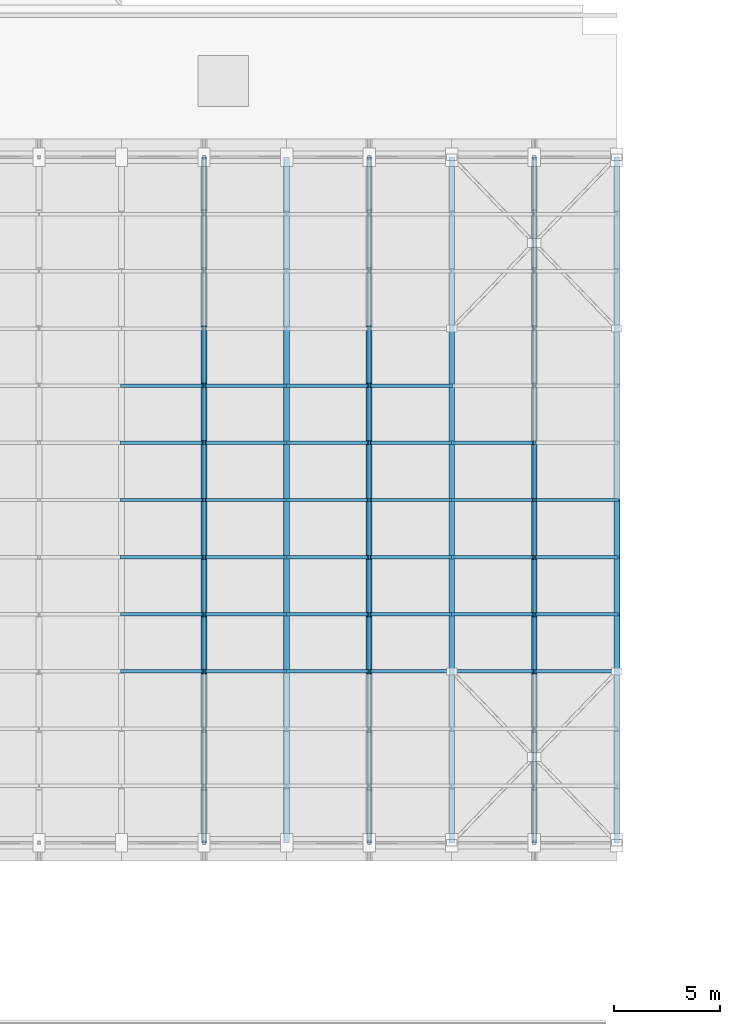
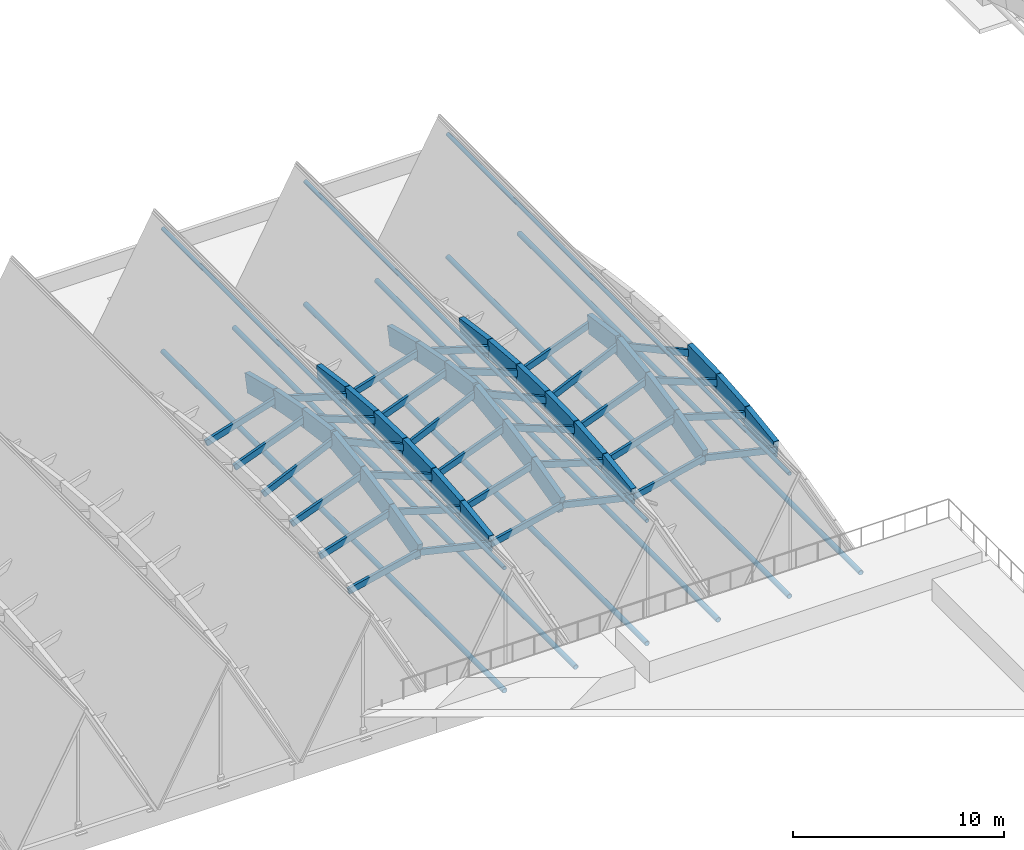
# One storey, part 10 of 39: 73 members.
"""IFC4 building model written with IfcOpenShell, lengths in metres."""

import ifcopenshell
import ifcopenshell.guid

model = None  # the IFC model being written
_history = None  # IfcOwnerHistory: only IFC2X3 demands one
_inside = {}  # id of a spatial element -> (the spatial element, [elements in it])
_under = {}  # id of a project, library or spatial element -> (it, [spatial elements below it])
_declared = {}  # id of a project -> (the project, [libraries it declares])
_typed = {}  # id of a type object -> (the type object, [elements of that type])
_made_of = {}  # id of a material, layer set ... -> (it, [elements and type objects made of it])


def new_model(schema):
    """Start an empty IFC model of exactly this schema.

    Asked for "IFC4X3", IfcOpenShell would pick the latest addendum, in which some entities
    have other attributes; the version numbers below select the first issue.
    IFC2X3 requires an IfcOwnerHistory on every rooted entity: one is made here for all.
    """
    global model, _history
    if schema == "IFC4X3":
        model = ifcopenshell.file(schema_version=(4, 3, 0, 0))
    else:
        model = ifcopenshell.file(schema=schema)
    _inside.clear()
    _under.clear()
    _declared.clear()
    _typed.clear()
    _made_of.clear()
    _history = None
    if model.schema == "IFC2X3":
        org = make("IfcOrganization", Name="unknown")
        user = make(
            "IfcPersonAndOrganization",
            ThePerson=make("IfcPerson", FamilyName="unknown"),
            TheOrganization=org,
        )
        app = make(
            "IfcApplication",
            ApplicationDeveloper=org,
            Version="unknown",
            ApplicationFullName="unknown",
            ApplicationIdentifier="unknown",
        )
        _history = make(
            "IfcOwnerHistory",
            OwningUser=user,
            OwningApplication=app,
            ChangeAction="ADDED",
            CreationDate=0,
        )
    return model


def make(cls, **values):
    """One entity of the class cls with the attributes given. An attribute that is None is left unset."""
    return model.create_entity(
        cls, **{name: value for name, value in values.items() if value is not None}
    )


def rooted(cls, **values):
    """An entity with a GlobalId (a new one), such as an element, a storey or a relation."""
    return make(cls, GlobalId=ifcopenshell.guid.new(), OwnerHistory=_history, **values)


def si_unit(unit_type, name, prefix=None):
    """IfcSIUnit, for example si_unit("LENGTHUNIT", "METRE", prefix="MILLI")."""
    return make("IfcSIUnit", UnitType=unit_type, Prefix=prefix, Name=name)


def assignment(units):
    """IfcUnitAssignment: the units of a project."""
    return None if units is None else make("IfcUnitAssignment", Units=units)


def point(xyz):
    """IfcCartesianPoint."""
    return None if xyz is None else make("IfcCartesianPoint", Coordinates=xyz)


def direction(xyz):
    """IfcDirection."""
    return None if xyz is None else make("IfcDirection", DirectionRatios=xyz)


def frame(location, z_axis=None, x_axis=None):
    """IfcAxis2Placement3D, a coordinate frame: its origin and axes. An axis left out is left unset."""
    return make(
        "IfcAxis2Placement3D",
        Location=point(location),
        Axis=direction(z_axis),
        RefDirection=direction(x_axis),
    )


def frame_2d(location, x_axis=None):
    """IfcAxis2Placement2D, a coordinate frame in the plane: its origin and x axis."""
    return make(
        "IfcAxis2Placement2D", Location=point(location), RefDirection=direction(x_axis)
    )


def origin():
    """The frame at (0, 0, 0) with its axes left unset."""
    return frame((0.0, 0.0, 0.0))


def origin_2d():
    """The frame at (0, 0) in the plane with its x axis left unset."""
    return frame_2d((0.0, 0.0))


def place(relative_to, where):
    """IfcLocalPlacement: puts the frame where relative to a parent placement (None: the world)."""
    return make(
        "IfcLocalPlacement", PlacementRelTo=relative_to, RelativePlacement=where
    )


def context(
    kind, dimensions, precision=None, world=None, true_north=None, identifier=None
):
    """IfcGeometricRepresentationContext, for example the 3D "Model" context."""
    return make(
        "IfcGeometricRepresentationContext",
        ContextIdentifier=identifier,
        ContextType=kind,
        CoordinateSpaceDimension=dimensions,
        Precision=precision,
        WorldCoordinateSystem=world,
        TrueNorth=true_north,
    )


def subcontext(parent, identifier, kind, view, scale=None):
    """IfcGeometricRepresentationSubContext, for example "Body" below "Model"."""
    return make(
        "IfcGeometricRepresentationSubContext",
        ContextIdentifier=identifier,
        ContextType=kind,
        ParentContext=parent,
        TargetScale=scale,
        TargetView=view,
    )


def project(units=None, contexts=None):
    """IfcProject with its units and contexts."""
    return rooted(
        "IfcProject",
        Name="project",
        RepresentationContexts=contexts,
        UnitsInContext=assignment(units),
    )


def spatial(cls, under=None, at=None, **own):
    """A site, building, storey or space (cls), placed at a placement, below another one or the project."""
    s = rooted(cls, ObjectPlacement=at, **own)
    if under is not None:
        _under.setdefault(under.id(), (under, []))[1].append(s)
    return s


def profile(cls, at=None, kind="AREA", **sizes):
    """A parametric profile (cls). Its sizes go by their IFC names, for example OverallWidth=200.0."""
    return make(cls, ProfileType=kind, Position=at, **sizes)


def rectangle(**sizes):
    """IfcRectangleProfileDef."""
    return profile("IfcRectangleProfileDef", **sizes)


def hollow_circle(**sizes):
    """IfcCircleHollowProfileDef."""
    return profile("IfcCircleHollowProfileDef", **sizes)


def extrude(swept, where, along, depth):
    """IfcExtrudedAreaSolid: the profile swept, set in the frame where, extruded along a direction by depth."""
    return make(
        "IfcExtrudedAreaSolid",
        SweptArea=swept,
        Position=where,
        ExtrudedDirection=direction(along),
        Depth=depth,
    )


def shape(context_of_items, identifier, shape_type, items):
    """IfcShapeRepresentation: the items that make up one representation, for example the "Body"."""
    return make(
        "IfcShapeRepresentation",
        ContextOfItems=context_of_items,
        RepresentationIdentifier=identifier,
        RepresentationType=shape_type,
        Items=items,
    )


def material(Name=None, Category=None):
    """IfcMaterial."""
    return make("IfcMaterial", Name=Name, Category=Category)


def material_profile(
    of_material, cross_section, Name=None, Category=None, Priority=None
):
    """IfcMaterialProfile: a cross section and its material."""
    return make(
        "IfcMaterialProfile",
        Name=Name,
        Material=of_material,
        Profile=cross_section,
        Priority=Priority,
        Category=Category,
    )


def profile_set(profiles, Name=None, composite=None):
    """IfcMaterialProfileSet."""
    return make(
        "IfcMaterialProfileSet",
        Name=Name,
        MaterialProfiles=profiles,
        CompositeProfile=composite,
    )


def made_of(thing, what):
    """Note that an element or type object is made of a material, layer set ...; save() writes the relation."""
    if what is not None:
        _made_of.setdefault(what.id(), (what, []))[1].append(thing)
    return thing


def type_object(cls, material=None, **own):
    """A type object (cls), such as IfcWallType, which elements share."""
    return made_of(rooted(cls, **own), material)


def element(
    cls,
    number,
    at=None,
    inside=None,
    cuts=None,
    type_object=None,
    material=None,
    context=None,
    identifier="Body",
    shape_type=None,
    held_by="IfcProductDefinitionShape",
    body=None,
    shapes=None,
    **own,
):
    """One element of the class cls, such as IfcWall. Its Tag is "e" and its number.

    at: its placement. inside: the storey or other place that contains it. cuts: it is an
    opening in that element (IfcRelVoidsElement). A single representation is given by context,
    identifier, shape_type and body (its items); several are given by shapes. held_by: the class
    of the entity that holds the representations. save() writes the other relations.
    """
    e = rooted(cls, Tag="e%d" % number, ObjectPlacement=at, **own)
    if body is not None:
        shapes = [shape(context, identifier, shape_type, body)]
    if shapes is not None:
        e.Representation = make(held_by, Representations=shapes)
    if inside is not None:
        _inside.setdefault(inside.id(), (inside, []))[1].append(e)
    if cuts is not None:
        rooted(
            "IfcRelVoidsElement", RelatingBuildingElement=cuts, RelatedOpeningElement=e
        )
    if type_object is not None:
        _typed.setdefault(type_object.id(), (type_object, []))[1].append(e)
    return made_of(e, material)


def aggregate(whole, parts):
    """IfcRelAggregates: a whole, such as a stair, and the parts it consists of."""
    return rooted("IfcRelAggregates", RelatingObject=whole, RelatedObjects=parts)


def save(model, path):
    """Write the relations noted so far, then the file.

    IfcRelAggregates (storeys below a building ...), IfcRelContainedInSpatialStructure (elements
    in a storey), IfcRelDefinesByType, IfcRelAssociatesMaterial and IfcRelDeclares: one each for
    every whole, place, type object, material and project.
    """
    for whole, parts in _under.values():
        aggregate(whole, parts)
    for where, things in _inside.values():
        rooted(
            "IfcRelContainedInSpatialStructure",
            RelatedElements=things,
            RelatingStructure=where,
        )
    for kind, things in _typed.values():
        rooted("IfcRelDefinesByType", RelatedObjects=things, RelatingType=kind)
    for what, things in _made_of.values():
        rooted("IfcRelAssociatesMaterial", RelatedObjects=things, RelatingMaterial=what)
    for by, libraries in _declared.values():
        rooted("IfcRelDeclares", RelatingContext=by, RelatedDefinitions=libraries)
    model.write(path)


model = new_model("IFC4")

# Units and contexts
model_context = context("Model", 3, precision=1e-05, world=origin(), true_north=direction((0.0, 1.0)))
body_context = subcontext(model_context, "Body", "Model", "MODEL_VIEW")
ifc_project = project(units=[si_unit("LENGTHUNIT", "METRE"), si_unit("AREAUNIT", "SQUARE_METRE"), si_unit("VOLUMEUNIT", "CUBIC_METRE"), si_unit("PLANEANGLEUNIT", "RADIAN"), si_unit("MASSUNIT", "GRAM", prefix="KILO")], contexts=[model_context])

# Site, building, storey
site_placement = place(None, origin())
site = spatial("IfcSite", under=ifc_project, at=site_placement, CompositionType="ELEMENT")
building_placement = place(site_placement, origin())
building = spatial("IfcBuilding", under=site, at=building_placement, Name="Tizgana Railside Sports Hall", CompositionType="ELEMENT")
storey_placement = place(building_placement, frame((0.0, 0.0, 23.699951171875)))
storey = spatial("IfcBuildingStorey", under=building, at=storey_placement, Name="RF", CompositionType="ELEMENT", Elevation=23.699951171875)

# Members
ifc_material_1 = material(Name="Glulam GL32h", Category="wood")
ifc_material_profile_1 = material_profile(ifc_material_1, rectangle(XDim=0.280029296875, YDim=1.050048828125, at=origin_2d()), Name="GL 280x1050")
ifc_profile_set_1 = profile_set([ifc_material_profile_1], Name="Glulam GL32h")
member_type_1 = type_object("IfcMemberType", Name="Glulam Arch Segment GL 280x1050", PredefinedType="USERDEFINED", material=ifc_profile_set_1)
member_1_placement = place(storey_placement, frame((35.10009765625, 48.89990234375, -5.221923828125), z_axis=(0.0, 0.969416374533, 0.24542186697), x_axis=(-1.0, 0.0, 0.0)))
element("IfcMember", 1, at=member_1_placement, inside=storey, type_object=member_type_1, Name="RF V1 Arch Chord MEM-0144", ObjectType="ARCH_SEGMENT", PredefinedType="USERDEFINED", context=body_context, shape_type="SweptSolid", body=[
    extrude(rectangle(XDim=0.280029296875, YDim=1.050048828125, at=origin_2d()), origin(), (0.0, 0.0, 1.0), 2.785400390625),
])
member_2_placement = place(storey_placement, frame((35.10009765625, 51.60009765625, -4.538330078125), z_axis=(0.0, 0.981354466381, 0.192206689048), x_axis=(-1.0, 0.0, 0.0)))
element("IfcMember", 2, at=member_2_placement, inside=storey, type_object=member_type_1, Name="RF V1 Arch Chord MEM-0145", ObjectType="ARCH_SEGMENT", PredefinedType="USERDEFINED", context=body_context, shape_type="SweptSolid", body=[
    extrude(rectangle(XDim=0.280029296875, YDim=1.050048828125, at=origin_2d()), origin(), (0.0, 0.0, 1.0), 2.751220703125),
])
for number, where, z_axis, x_axis, name in (
    (3, (35.10009765625, 54.300048828125, -4.009521484375), (0.0, 0.990443057088, 0.137922263126), (-1.0, 0.0, 0.0), "RF V1 Arch Chord MEM-0146"),
    (4, (35.10009765625, 57.0, -3.633544921875), (0.0, 0.990443057088, -0.137922263126), (-1.0, 0.0, 0.0), "RF V1 Arch Chord MEM-0147"),
):
    element("IfcMember", number, at=place(storey_placement, frame(where, z_axis=z_axis, x_axis=x_axis)), inside=storey, type_object=member_type_1, Name=name, ObjectType="ARCH_SEGMENT", PredefinedType="USERDEFINED", context=body_context, shape_type="SweptSolid", body=[
        extrude(rectangle(XDim=0.280029296875, YDim=1.050048828125, at=origin_2d()), origin(), (0.0, 0.0, 1.0), 2.72607421875),
    ])
member_3_placement = place(storey_placement, frame((35.10009765625, 59.699951171875, -4.009521484375), z_axis=(0.0, 0.981354466381, -0.192206689048), x_axis=(-1.0, 0.0, 0.0)))
element("IfcMember", 5, at=member_3_placement, inside=storey, type_object=member_type_1, Name="RF V1 Arch Chord MEM-0148", ObjectType="ARCH_SEGMENT", PredefinedType="USERDEFINED", context=body_context, shape_type="SweptSolid", body=[
    extrude(rectangle(XDim=0.280029296875, YDim=1.050048828125, at=origin_2d()), origin(), (0.0, 0.0, 1.0), 2.751220703125),
])
member_4_placement = place(storey_placement, frame((35.10009765625, 62.39990234375, -4.538330078125), z_axis=(0.0, 0.969416374533, -0.24542186697), x_axis=(-1.0, 0.0, 0.0)))
element("IfcMember", 6, at=member_4_placement, inside=storey, type_object=member_type_1, Name="RF V1 Arch Chord MEM-0149", ObjectType="ARCH_SEGMENT", PredefinedType="USERDEFINED", context=body_context, shape_type="SweptSolid", body=[
    extrude(rectangle(XDim=0.280029296875, YDim=1.050048828125, at=origin_2d()), origin(), (0.0, 0.0, 1.0), 2.785400390625),
])
member_5_placement = place(storey_placement, frame((39.0, 48.89990234375, -6.1220703125), z_axis=(0.0, 0.990049503072, 0.140719513456), x_axis=(-1.0, 0.0, 0.0)))
element("IfcMember", 7, at=member_5_placement, inside=storey, type_object=member_type_1, Name="RF V1 Arch Chord MEM-0157", ObjectType="ARCH_SEGMENT", PredefinedType="USERDEFINED", context=body_context, shape_type="SweptSolid", body=[
    extrude(rectangle(XDim=0.280029296875, YDim=1.050048828125, at=origin_2d()), origin(), (0.0, 0.0, 1.0), 2.727294921875),
])
member_6_placement = place(storey_placement, frame((39.0, 51.60009765625, -5.73828125), z_axis=(0.0, 0.996429846681, 0.084424881666), x_axis=(-1.0, 0.0, 0.0)))
element("IfcMember", 8, at=member_6_placement, inside=storey, type_object=member_type_1, Name="RF V1 Arch Chord MEM-0158", ObjectType="ARCH_SEGMENT", PredefinedType="USERDEFINED", context=body_context, shape_type="SweptSolid", body=[
    extrude(rectangle(XDim=0.280029296875, YDim=1.050048828125, at=origin_2d()), origin(), (0.0, 0.0, 1.0), 2.709716796875),
])
for number, where, z_axis, x_axis, name in (
    (9, (39.0, 54.300048828125, -5.509521484375), (0.0, 0.999604813986, 0.028110778294), (-1.0, 0.0, 0.0), "RF V1 Arch Chord MEM-0159"),
    (10, (39.0, 57.0, -5.43359375), (0.0, 0.999604813986, -0.028110778294), (-1.0, 0.0, 0.0), "RF V1 Arch Chord MEM-0160"),
):
    element("IfcMember", number, at=place(storey_placement, frame(where, z_axis=z_axis, x_axis=x_axis)), inside=storey, type_object=member_type_1, Name=name, ObjectType="ARCH_SEGMENT", PredefinedType="USERDEFINED", context=body_context, shape_type="SweptSolid", body=[
        extrude(rectangle(XDim=0.280029296875, YDim=1.050048828125, at=origin_2d()), origin(), (0.0, 0.0, 1.0), 2.700927734375),
    ])
member_7_placement = place(storey_placement, frame((39.0, 59.699951171875, -5.509521484375), z_axis=(0.0, 0.996429846681, -0.084424881666), x_axis=(-1.0, 0.0, 0.0)))
element("IfcMember", 11, at=member_7_placement, inside=storey, type_object=member_type_1, Name="RF V1 Arch Chord MEM-0161", ObjectType="ARCH_SEGMENT", PredefinedType="USERDEFINED", context=body_context, shape_type="SweptSolid", body=[
    extrude(rectangle(XDim=0.280029296875, YDim=1.050048828125, at=origin_2d()), origin(), (0.0, 0.0, 1.0), 2.709716796875),
])
member_8_placement = place(storey_placement, frame((39.0, 62.39990234375, -5.73828125), z_axis=(0.0, 0.990049503072, -0.140719513456), x_axis=(-1.0, 0.0, 0.0)))
element("IfcMember", 12, at=member_8_placement, inside=storey, type_object=member_type_1, Name="RF V1 Arch Chord MEM-0162", ObjectType="ARCH_SEGMENT", PredefinedType="USERDEFINED", context=body_context, shape_type="SweptSolid", body=[
    extrude(rectangle(XDim=0.280029296875, YDim=1.050048828125, at=origin_2d()), origin(), (0.0, 0.0, 1.0), 2.727294921875),
])
member_9_placement = place(storey_placement, frame((42.89990234375, 48.89990234375, -5.221923828125), z_axis=(0.0, 0.969416374533, 0.24542186697), x_axis=(-1.0, 0.0, 0.0)))
element("IfcMember", 13, at=member_9_placement, inside=storey, type_object=member_type_1, Name="RF V1 Arch Chord MEM-0170", ObjectType="ARCH_SEGMENT", PredefinedType="USERDEFINED", context=body_context, shape_type="SweptSolid", body=[
    extrude(rectangle(XDim=0.280029296875, YDim=1.050048828125, at=origin_2d()), origin(), (0.0, 0.0, 1.0), 2.785400390625),
])
member_10_placement = place(storey_placement, frame((42.89990234375, 51.60009765625, -4.538330078125), z_axis=(0.0, 0.981354466381, 0.192206689048), x_axis=(-1.0, 0.0, 0.0)))
element("IfcMember", 14, at=member_10_placement, inside=storey, type_object=member_type_1, Name="RF V1 Arch Chord MEM-0171", ObjectType="ARCH_SEGMENT", PredefinedType="USERDEFINED", context=body_context, shape_type="SweptSolid", body=[
    extrude(rectangle(XDim=0.280029296875, YDim=1.050048828125, at=origin_2d()), origin(), (0.0, 0.0, 1.0), 2.751220703125),
])
for number, where, z_axis, x_axis, name in (
    (15, (42.89990234375, 54.300048828125, -4.009521484375), (0.0, 0.990443057088, 0.137922263126), (-1.0, 0.0, 0.0), "RF V1 Arch Chord MEM-0172"),
    (16, (42.89990234375, 57.0, -3.633544921875), (0.0, 0.990443057088, -0.137922263126), (-1.0, 0.0, 0.0), "RF V1 Arch Chord MEM-0173"),
):
    element("IfcMember", number, at=place(storey_placement, frame(where, z_axis=z_axis, x_axis=x_axis)), inside=storey, type_object=member_type_1, Name=name, ObjectType="ARCH_SEGMENT", PredefinedType="USERDEFINED", context=body_context, shape_type="SweptSolid", body=[
        extrude(rectangle(XDim=0.280029296875, YDim=1.050048828125, at=origin_2d()), origin(), (0.0, 0.0, 1.0), 2.72607421875),
    ])
member_11_placement = place(storey_placement, frame((42.89990234375, 59.699951171875, -4.009521484375), z_axis=(0.0, 0.981354466381, -0.192206689048), x_axis=(-1.0, 0.0, 0.0)))
element("IfcMember", 17, at=member_11_placement, inside=storey, type_object=member_type_1, Name="RF V1 Arch Chord MEM-0174", ObjectType="ARCH_SEGMENT", PredefinedType="USERDEFINED", context=body_context, shape_type="SweptSolid", body=[
    extrude(rectangle(XDim=0.280029296875, YDim=1.050048828125, at=origin_2d()), origin(), (0.0, 0.0, 1.0), 2.751220703125),
])
member_12_placement = place(storey_placement, frame((42.89990234375, 62.39990234375, -4.538330078125), z_axis=(0.0, 0.969416374533, -0.24542186697), x_axis=(-1.0, 0.0, 0.0)))
element("IfcMember", 18, at=member_12_placement, inside=storey, type_object=member_type_1, Name="RF V1 Arch Chord MEM-0175", ObjectType="ARCH_SEGMENT", PredefinedType="USERDEFINED", context=body_context, shape_type="SweptSolid", body=[
    extrude(rectangle(XDim=0.280029296875, YDim=1.050048828125, at=origin_2d()), origin(), (0.0, 0.0, 1.0), 2.785400390625),
])
member_13_placement = place(storey_placement, frame((46.800048828125, 48.89990234375, -6.1220703125), z_axis=(0.0, 0.990049503072, 0.140719513456), x_axis=(-1.0, 0.0, 0.0)))
element("IfcMember", 19, at=member_13_placement, inside=storey, type_object=member_type_1, Name="RF V1 Arch Chord MEM-0183", ObjectType="ARCH_SEGMENT", PredefinedType="USERDEFINED", context=body_context, shape_type="SweptSolid", body=[
    extrude(rectangle(XDim=0.280029296875, YDim=1.050048828125, at=origin_2d()), origin(), (0.0, 0.0, 1.0), 2.727294921875),
])
member_14_placement = place(storey_placement, frame((46.800048828125, 51.60009765625, -5.73828125), z_axis=(0.0, 0.996429846681, 0.084424881666), x_axis=(-1.0, 0.0, 0.0)))
element("IfcMember", 20, at=member_14_placement, inside=storey, type_object=member_type_1, Name="RF V1 Arch Chord MEM-0184", ObjectType="ARCH_SEGMENT", PredefinedType="USERDEFINED", context=body_context, shape_type="SweptSolid", body=[
    extrude(rectangle(XDim=0.280029296875, YDim=1.050048828125, at=origin_2d()), origin(), (0.0, 0.0, 1.0), 2.709716796875),
])
for number, where, z_axis, x_axis, name in (
    (21, (46.800048828125, 54.300048828125, -5.509521484375), (0.0, 0.999604813986, 0.028110778294), (-1.0, 0.0, 0.0), "RF V1 Arch Chord MEM-0185"),
    (22, (46.800048828125, 57.0, -5.43359375), (0.0, 0.999604813986, -0.028110778294), (-1.0, 0.0, 0.0), "RF V1 Arch Chord MEM-0186"),
):
    element("IfcMember", number, at=place(storey_placement, frame(where, z_axis=z_axis, x_axis=x_axis)), inside=storey, type_object=member_type_1, Name=name, ObjectType="ARCH_SEGMENT", PredefinedType="USERDEFINED", context=body_context, shape_type="SweptSolid", body=[
        extrude(rectangle(XDim=0.280029296875, YDim=1.050048828125, at=origin_2d()), origin(), (0.0, 0.0, 1.0), 2.700927734375),
    ])
member_15_placement = place(storey_placement, frame((46.800048828125, 59.699951171875, -5.509521484375), z_axis=(0.0, 0.996429846681, -0.084424881666), x_axis=(-1.0, 0.0, 0.0)))
element("IfcMember", 23, at=member_15_placement, inside=storey, type_object=member_type_1, Name="RF V1 Arch Chord MEM-0187", ObjectType="ARCH_SEGMENT", PredefinedType="USERDEFINED", context=body_context, shape_type="SweptSolid", body=[
    extrude(rectangle(XDim=0.280029296875, YDim=1.050048828125, at=origin_2d()), origin(), (0.0, 0.0, 1.0), 2.709716796875),
])
member_16_placement = place(storey_placement, frame((46.800048828125, 62.39990234375, -5.73828125), z_axis=(0.0, 0.990049503072, -0.140719513456), x_axis=(-1.0, 0.0, 0.0)))
element("IfcMember", 24, at=member_16_placement, inside=storey, type_object=member_type_1, Name="RF V1 Arch Chord MEM-0188", ObjectType="ARCH_SEGMENT", PredefinedType="USERDEFINED", context=body_context, shape_type="SweptSolid", body=[
    extrude(rectangle(XDim=0.280029296875, YDim=1.050048828125, at=origin_2d()), origin(), (0.0, 0.0, 1.0), 2.727294921875),
])
member_17_placement = place(storey_placement, frame((50.699951171875, 48.89990234375, -5.221923828125), z_axis=(0.0, 0.969416374533, 0.24542186697), x_axis=(-1.0, 0.0, 0.0)))
element("IfcMember", 25, at=member_17_placement, inside=storey, type_object=member_type_1, Name="RF V1 Arch Chord MEM-0196", ObjectType="ARCH_SEGMENT", PredefinedType="USERDEFINED", context=body_context, shape_type="SweptSolid", body=[
    extrude(rectangle(XDim=0.280029296875, YDim=1.050048828125, at=origin_2d()), origin(), (0.0, 0.0, 1.0), 2.785400390625),
])
member_18_placement = place(storey_placement, frame((50.699951171875, 51.60009765625, -4.538330078125), z_axis=(0.0, 0.981354466381, 0.192206689048), x_axis=(-1.0, 0.0, 0.0)))
element("IfcMember", 26, at=member_18_placement, inside=storey, type_object=member_type_1, Name="RF V1 Arch Chord MEM-0197", ObjectType="ARCH_SEGMENT", PredefinedType="USERDEFINED", context=body_context, shape_type="SweptSolid", body=[
    extrude(rectangle(XDim=0.280029296875, YDim=1.050048828125, at=origin_2d()), origin(), (0.0, 0.0, 1.0), 2.751220703125),
])
for number, where, z_axis, x_axis, name in (
    (27, (50.699951171875, 54.300048828125, -4.009521484375), (0.0, 0.990443057088, 0.137922263126), (-1.0, 0.0, 0.0), "RF V1 Arch Chord MEM-0198"),
    (28, (50.699951171875, 57.0, -3.633544921875), (0.0, 0.990443057088, -0.137922263126), (-1.0, 0.0, 0.0), "RF V1 Arch Chord MEM-0199"),
):
    element("IfcMember", number, at=place(storey_placement, frame(where, z_axis=z_axis, x_axis=x_axis)), inside=storey, type_object=member_type_1, Name=name, ObjectType="ARCH_SEGMENT", PredefinedType="USERDEFINED", context=body_context, shape_type="SweptSolid", body=[
        extrude(rectangle(XDim=0.280029296875, YDim=1.050048828125, at=origin_2d()), origin(), (0.0, 0.0, 1.0), 2.72607421875),
    ])
member_19_placement = place(storey_placement, frame((54.60009765625, 48.89990234375, -6.1220703125), z_axis=(0.0, 0.990049503072, 0.140719513456), x_axis=(-1.0, 0.0, 0.0)))
element("IfcMember", 29, at=member_19_placement, inside=storey, type_object=member_type_1, Name="RF V1 Arch Chord MEM-0209", ObjectType="ARCH_SEGMENT", PredefinedType="USERDEFINED", context=body_context, shape_type="SweptSolid", body=[
    extrude(rectangle(XDim=0.280029296875, YDim=1.050048828125, at=origin_2d()), origin(), (0.0, 0.0, 1.0), 2.727294921875),
])
member_20_placement = place(storey_placement, frame((54.60009765625, 51.60009765625, -5.73828125), z_axis=(0.0, 0.996429846681, 0.084424881666), x_axis=(-1.0, 0.0, 0.0)))
element("IfcMember", 30, at=member_20_placement, inside=storey, type_object=member_type_1, Name="RF V1 Arch Chord MEM-0210", ObjectType="ARCH_SEGMENT", PredefinedType="USERDEFINED", context=body_context, shape_type="SweptSolid", body=[
    extrude(rectangle(XDim=0.280029296875, YDim=1.050048828125, at=origin_2d()), origin(), (0.0, 0.0, 1.0), 2.709716796875),
])
member_21_placement = place(storey_placement, frame((54.60009765625, 54.300048828125, -5.509521484375), z_axis=(0.0, 0.999604813986, 0.028110778294), x_axis=(-1.0, 0.0, 0.0)))
element("IfcMember", 31, at=member_21_placement, inside=storey, type_object=member_type_1, Name="RF V1 Arch Chord MEM-0211", ObjectType="ARCH_SEGMENT", PredefinedType="USERDEFINED", context=body_context, shape_type="SweptSolid", body=[
    extrude(rectangle(XDim=0.280029296875, YDim=1.050048828125, at=origin_2d()), origin(), (0.0, 0.0, 1.0), 2.700927734375),
])
ifc_material_2 = material(Name="Glulam GL28h", Category="wood")
ifc_material_profile_2 = material_profile(ifc_material_2, rectangle(XDim=0.159912109375, YDim=0.360107421875, at=origin_2d()), Name="GL 160x360")
ifc_profile_set_2 = profile_set([ifc_material_profile_2], Name="Glulam GL28h")
member_type_2 = type_object("IfcMemberType", Name="Glulam Roof Purlin GL 160x360", PredefinedType="PURLIN", material=ifc_profile_set_2)
member_22_placement = place(storey_placement, frame((31.199951171875, 48.89990234375, -6.1220703125), z_axis=(0.974385027358, 0.0, 0.224886234483), x_axis=(0.0, 1.0, 0.0)))
element("IfcMember", 32, at=member_22_placement, inside=storey, type_object=member_type_2, Name="RF V1 Purlin MEM-0331", PredefinedType="PURLIN", context=body_context, shape_type="SweptSolid", body=[
    extrude(rectangle(XDim=0.159912109375, YDim=0.360107421875, at=origin_2d()), origin(), (0.0, 0.0, 1.0), 4.002685546875),
])
member_23_placement = place(storey_placement, frame((35.10009765625, 48.89990234375, -5.221923828125), z_axis=(0.974381942365, 0.0, -0.224899600695), x_axis=(0.0, 1.0, 0.0)))
element("IfcMember", 33, at=member_23_placement, inside=storey, type_object=member_type_2, Name="RF V1 Purlin MEM-0332", PredefinedType="PURLIN", context=body_context, shape_type="SweptSolid", body=[
    extrude(rectangle(XDim=0.159912109375, YDim=0.360107421875, at=origin_2d()), origin(), (0.0, 0.0, 1.0), 4.00244140625),
])
member_24_placement = place(storey_placement, frame((31.199951171875, 51.60009765625, -5.73828125), z_axis=(0.955785476607, 0.0, 0.294064827388), x_axis=(0.0, 1.0, 0.0)))
element("IfcMember", 34, at=member_24_placement, inside=storey, type_object=member_type_2, Name="RF V1 Purlin MEM-0333", PredefinedType="PURLIN", context=body_context, shape_type="SweptSolid", body=[
    extrude(rectangle(XDim=0.159912109375, YDim=0.360107421875, at=origin_2d()), origin(), (0.0, 0.0, 1.0), 4.08056640625),
])
member_25_placement = place(storey_placement, frame((35.10009765625, 51.60009765625, -4.538330078125), z_axis=(0.95578030241, 0.0, -0.294081644319), x_axis=(0.0, 1.0, 0.0)))
element("IfcMember", 35, at=member_25_placement, inside=storey, type_object=member_type_2, Name="RF V1 Purlin MEM-0334", PredefinedType="PURLIN", context=body_context, shape_type="SweptSolid", body=[
    extrude(rectangle(XDim=0.159912109375, YDim=0.360107421875, at=origin_2d()), origin(), (0.0, 0.0, 1.0), 4.080322265625),
])
member_26_placement = place(storey_placement, frame((31.199951171875, 54.300048828125, -5.509521484375), z_axis=(0.933350123578, 0.0, 0.358967333913), x_axis=(0.0, 1.0, 0.0)))
element("IfcMember", 36, at=member_26_placement, inside=storey, type_object=member_type_2, Name="RF V1 Purlin MEM-0335", PredefinedType="PURLIN", context=body_context, shape_type="SweptSolid", body=[
    extrude(rectangle(XDim=0.159912109375, YDim=0.360107421875, at=origin_2d()), origin(), (0.0, 0.0, 1.0), 4.1787109375),
])
member_27_placement = place(storey_placement, frame((35.10009765625, 54.300048828125, -4.009521484375), z_axis=(0.933342594373, 0.0, -0.358986909968), x_axis=(0.0, 1.0, 0.0)))
element("IfcMember", 37, at=member_27_placement, inside=storey, type_object=member_type_2, Name="RF V1 Purlin MEM-0336", PredefinedType="PURLIN", context=body_context, shape_type="SweptSolid", body=[
    extrude(rectangle(XDim=0.159912109375, YDim=0.360107421875, at=origin_2d()), origin(), (0.0, 0.0, 1.0), 4.178466796875),
])
member_28_placement = place(storey_placement, frame((31.199951171875, 57.0, -5.43359375), z_axis=(0.907961047997, 0.0, 0.419054573201), x_axis=(0.0, 1.0, 0.0)))
element("IfcMember", 38, at=member_28_placement, inside=storey, type_object=member_type_2, Name="RF V1 Purlin MEM-0337", PredefinedType="PURLIN", context=body_context, shape_type="SweptSolid", body=[
    extrude(rectangle(XDim=0.159912109375, YDim=0.360107421875, at=origin_2d()), origin(), (0.0, 0.0, 1.0), 4.29541015625),
])
member_29_placement = place(storey_placement, frame((35.10009765625, 57.0, -3.633544921875), z_axis=(0.907951066374, 0.0, -0.419076199598), x_axis=(0.0, 1.0, 0.0)))
element("IfcMember", 39, at=member_29_placement, inside=storey, type_object=member_type_2, Name="RF V1 Purlin MEM-0338", PredefinedType="PURLIN", context=body_context, shape_type="SweptSolid", body=[
    extrude(rectangle(XDim=0.159912109375, YDim=0.360107421875, at=origin_2d()), origin(), (0.0, 0.0, 1.0), 4.295166015625),
])
member_30_placement = place(storey_placement, frame((31.199951171875, 59.699951171875, -5.509521484375), z_axis=(0.933350123578, 0.0, 0.358967333913), x_axis=(0.0, 1.0, 0.0)))
element("IfcMember", 40, at=member_30_placement, inside=storey, type_object=member_type_2, Name="RF V1 Purlin MEM-0339", PredefinedType="PURLIN", context=body_context, shape_type="SweptSolid", body=[
    extrude(rectangle(XDim=0.159912109375, YDim=0.360107421875, at=origin_2d()), origin(), (0.0, 0.0, 1.0), 4.1787109375),
])
member_31_placement = place(storey_placement, frame((35.10009765625, 59.699951171875, -4.009521484375), z_axis=(0.933342594373, 0.0, -0.358986909968), x_axis=(0.0, 1.0, 0.0)))
element("IfcMember", 41, at=member_31_placement, inside=storey, type_object=member_type_2, Name="RF V1 Purlin MEM-0340", PredefinedType="PURLIN", context=body_context, shape_type="SweptSolid", body=[
    extrude(rectangle(XDim=0.159912109375, YDim=0.360107421875, at=origin_2d()), origin(), (0.0, 0.0, 1.0), 4.178466796875),
])
member_32_placement = place(storey_placement, frame((31.199951171875, 62.39990234375, -5.73828125), z_axis=(0.955785476607, 0.0, 0.294064827388), x_axis=(0.0, 1.0, 0.0)))
element("IfcMember", 42, at=member_32_placement, inside=storey, type_object=member_type_2, Name="RF V1 Purlin MEM-0341", PredefinedType="PURLIN", context=body_context, shape_type="SweptSolid", body=[
    extrude(rectangle(XDim=0.159912109375, YDim=0.360107421875, at=origin_2d()), origin(), (0.0, 0.0, 1.0), 4.08056640625),
])
member_33_placement = place(storey_placement, frame((35.10009765625, 62.39990234375, -4.538330078125), z_axis=(0.95578030241, 0.0, -0.294081644319), x_axis=(0.0, 1.0, 0.0)))
element("IfcMember", 43, at=member_33_placement, inside=storey, type_object=member_type_2, Name="RF V1 Purlin MEM-0342", PredefinedType="PURLIN", context=body_context, shape_type="SweptSolid", body=[
    extrude(rectangle(XDim=0.159912109375, YDim=0.360107421875, at=origin_2d()), origin(), (0.0, 0.0, 1.0), 4.080322265625),
])
member_34_placement = place(storey_placement, frame((39.0, 48.89990234375, -6.1220703125), z_axis=(0.974381942365, 0.0, 0.224899600695), x_axis=(0.0, 1.0, 0.0)))
element("IfcMember", 44, at=member_34_placement, inside=storey, type_object=member_type_2, Name="RF V1 Purlin MEM-0356", PredefinedType="PURLIN", context=body_context, shape_type="SweptSolid", body=[
    extrude(rectangle(XDim=0.159912109375, YDim=0.360107421875, at=origin_2d()), origin(), (0.0, 0.0, 1.0), 4.00244140625),
])
member_35_placement = place(storey_placement, frame((42.89990234375, 48.89990234375, -5.221923828125), z_axis=(0.974385027358, 0.0, -0.224886234483), x_axis=(0.0, 1.0, 0.0)))
element("IfcMember", 45, at=member_35_placement, inside=storey, type_object=member_type_2, Name="RF V1 Purlin MEM-0357", PredefinedType="PURLIN", context=body_context, shape_type="SweptSolid", body=[
    extrude(rectangle(XDim=0.159912109375, YDim=0.360107421875, at=origin_2d()), origin(), (0.0, 0.0, 1.0), 4.002685546875),
])
member_36_placement = place(storey_placement, frame((39.0, 51.60009765625, -5.73828125), z_axis=(0.95578030241, 0.0, 0.294081644319), x_axis=(0.0, 1.0, 0.0)))
element("IfcMember", 46, at=member_36_placement, inside=storey, type_object=member_type_2, Name="RF V1 Purlin MEM-0358", PredefinedType="PURLIN", context=body_context, shape_type="SweptSolid", body=[
    extrude(rectangle(XDim=0.159912109375, YDim=0.360107421875, at=origin_2d()), origin(), (0.0, 0.0, 1.0), 4.080322265625),
])
member_37_placement = place(storey_placement, frame((42.89990234375, 51.60009765625, -4.538330078125), z_axis=(0.955785476607, 0.0, -0.294064827388), x_axis=(0.0, 1.0, 0.0)))
element("IfcMember", 47, at=member_37_placement, inside=storey, type_object=member_type_2, Name="RF V1 Purlin MEM-0359", PredefinedType="PURLIN", context=body_context, shape_type="SweptSolid", body=[
    extrude(rectangle(XDim=0.159912109375, YDim=0.360107421875, at=origin_2d()), origin(), (0.0, 0.0, 1.0), 4.08056640625),
])
member_38_placement = place(storey_placement, frame((39.0, 54.300048828125, -5.509521484375), z_axis=(0.933342594373, 0.0, 0.358986909968), x_axis=(0.0, 1.0, 0.0)))
element("IfcMember", 48, at=member_38_placement, inside=storey, type_object=member_type_2, Name="RF V1 Purlin MEM-0360", PredefinedType="PURLIN", context=body_context, shape_type="SweptSolid", body=[
    extrude(rectangle(XDim=0.159912109375, YDim=0.360107421875, at=origin_2d()), origin(), (0.0, 0.0, 1.0), 4.178466796875),
])
member_39_placement = place(storey_placement, frame((42.89990234375, 54.300048828125, -4.009521484375), z_axis=(0.933350123578, 0.0, -0.358967333913), x_axis=(0.0, 1.0, 0.0)))
element("IfcMember", 49, at=member_39_placement, inside=storey, type_object=member_type_2, Name="RF V1 Purlin MEM-0361", PredefinedType="PURLIN", context=body_context, shape_type="SweptSolid", body=[
    extrude(rectangle(XDim=0.159912109375, YDim=0.360107421875, at=origin_2d()), origin(), (0.0, 0.0, 1.0), 4.1787109375),
])
member_40_placement = place(storey_placement, frame((39.0, 57.0, -5.43359375), z_axis=(0.907951066374, 0.0, 0.419076199598), x_axis=(0.0, 1.0, 0.0)))
element("IfcMember", 50, at=member_40_placement, inside=storey, type_object=member_type_2, Name="RF V1 Purlin MEM-0362", PredefinedType="PURLIN", context=body_context, shape_type="SweptSolid", body=[
    extrude(rectangle(XDim=0.159912109375, YDim=0.360107421875, at=origin_2d()), origin(), (0.0, 0.0, 1.0), 4.295166015625),
])
member_41_placement = place(storey_placement, frame((42.89990234375, 57.0, -3.633544921875), z_axis=(0.907961047997, 0.0, -0.419054573201), x_axis=(0.0, 1.0, 0.0)))
element("IfcMember", 51, at=member_41_placement, inside=storey, type_object=member_type_2, Name="RF V1 Purlin MEM-0363", PredefinedType="PURLIN", context=body_context, shape_type="SweptSolid", body=[
    extrude(rectangle(XDim=0.159912109375, YDim=0.360107421875, at=origin_2d()), origin(), (0.0, 0.0, 1.0), 4.29541015625),
])
member_42_placement = place(storey_placement, frame((39.0, 59.699951171875, -5.509521484375), z_axis=(0.933342594373, 0.0, 0.358986909968), x_axis=(0.0, 1.0, 0.0)))
element("IfcMember", 52, at=member_42_placement, inside=storey, type_object=member_type_2, Name="RF V1 Purlin MEM-0364", PredefinedType="PURLIN", context=body_context, shape_type="SweptSolid", body=[
    extrude(rectangle(XDim=0.159912109375, YDim=0.360107421875, at=origin_2d()), origin(), (0.0, 0.0, 1.0), 4.178466796875),
])
member_43_placement = place(storey_placement, frame((42.89990234375, 59.699951171875, -4.009521484375), z_axis=(0.933350123578, 0.0, -0.358967333913), x_axis=(0.0, 1.0, 0.0)))
element("IfcMember", 53, at=member_43_placement, inside=storey, type_object=member_type_2, Name="RF V1 Purlin MEM-0365", PredefinedType="PURLIN", context=body_context, shape_type="SweptSolid", body=[
    extrude(rectangle(XDim=0.159912109375, YDim=0.360107421875, at=origin_2d()), origin(), (0.0, 0.0, 1.0), 4.1787109375),
])
member_44_placement = place(storey_placement, frame((39.0, 62.39990234375, -5.73828125), z_axis=(0.95578030241, 0.0, 0.294081644319), x_axis=(0.0, 1.0, 0.0)))
element("IfcMember", 54, at=member_44_placement, inside=storey, type_object=member_type_2, Name="RF V1 Purlin MEM-0366", PredefinedType="PURLIN", context=body_context, shape_type="SweptSolid", body=[
    extrude(rectangle(XDim=0.159912109375, YDim=0.360107421875, at=origin_2d()), origin(), (0.0, 0.0, 1.0), 4.080322265625),
])
member_45_placement = place(storey_placement, frame((42.89990234375, 62.39990234375, -4.538330078125), z_axis=(0.955785476607, 0.0, -0.294064827388), x_axis=(0.0, 1.0, 0.0)))
element("IfcMember", 55, at=member_45_placement, inside=storey, type_object=member_type_2, Name="RF V1 Purlin MEM-0367", PredefinedType="PURLIN", context=body_context, shape_type="SweptSolid", body=[
    extrude(rectangle(XDim=0.159912109375, YDim=0.360107421875, at=origin_2d()), origin(), (0.0, 0.0, 1.0), 4.08056640625),
])
member_46_placement = place(storey_placement, frame((46.800048828125, 48.89990234375, -6.1220703125), z_axis=(0.974381942365, 0.0, 0.224899600695), x_axis=(0.0, 1.0, 0.0)))
element("IfcMember", 56, at=member_46_placement, inside=storey, type_object=member_type_2, Name="RF V1 Purlin MEM-0381", PredefinedType="PURLIN", context=body_context, shape_type="SweptSolid", body=[
    extrude(rectangle(XDim=0.159912109375, YDim=0.360107421875, at=origin_2d()), origin(), (0.0, 0.0, 1.0), 4.00244140625),
])
member_47_placement = place(storey_placement, frame((50.699951171875, 48.89990234375, -5.221923828125), z_axis=(0.974385027358, 0.0, -0.224886234483), x_axis=(0.0, 1.0, 0.0)))
element("IfcMember", 57, at=member_47_placement, inside=storey, type_object=member_type_2, Name="RF V1 Purlin MEM-0382", PredefinedType="PURLIN", context=body_context, shape_type="SweptSolid", body=[
    extrude(rectangle(XDim=0.159912109375, YDim=0.360107421875, at=origin_2d()), origin(), (0.0, 0.0, 1.0), 4.002685546875),
])
member_48_placement = place(storey_placement, frame((46.800048828125, 51.60009765625, -5.73828125), z_axis=(0.95578030241, 0.0, 0.294081644319), x_axis=(0.0, 1.0, 0.0)))
element("IfcMember", 58, at=member_48_placement, inside=storey, type_object=member_type_2, Name="RF V1 Purlin MEM-0383", PredefinedType="PURLIN", context=body_context, shape_type="SweptSolid", body=[
    extrude(rectangle(XDim=0.159912109375, YDim=0.360107421875, at=origin_2d()), origin(), (0.0, 0.0, 1.0), 4.080322265625),
])
member_49_placement = place(storey_placement, frame((50.699951171875, 51.60009765625, -4.538330078125), z_axis=(0.955785476607, 0.0, -0.294064827388), x_axis=(0.0, 1.0, 0.0)))
element("IfcMember", 59, at=member_49_placement, inside=storey, type_object=member_type_2, Name="RF V1 Purlin MEM-0384", PredefinedType="PURLIN", context=body_context, shape_type="SweptSolid", body=[
    extrude(rectangle(XDim=0.159912109375, YDim=0.360107421875, at=origin_2d()), origin(), (0.0, 0.0, 1.0), 4.08056640625),
])
member_50_placement = place(storey_placement, frame((46.800048828125, 54.300048828125, -5.509521484375), z_axis=(0.933342594373, 0.0, 0.358986909968), x_axis=(0.0, 1.0, 0.0)))
element("IfcMember", 60, at=member_50_placement, inside=storey, type_object=member_type_2, Name="RF V1 Purlin MEM-0385", PredefinedType="PURLIN", context=body_context, shape_type="SweptSolid", body=[
    extrude(rectangle(XDim=0.159912109375, YDim=0.360107421875, at=origin_2d()), origin(), (0.0, 0.0, 1.0), 4.178466796875),
])
member_51_placement = place(storey_placement, frame((50.699951171875, 54.300048828125, -4.009521484375), z_axis=(0.933350123578, 0.0, -0.358967333913), x_axis=(0.0, 1.0, 0.0)))
element("IfcMember", 61, at=member_51_placement, inside=storey, type_object=member_type_2, Name="RF V1 Purlin MEM-0386", PredefinedType="PURLIN", context=body_context, shape_type="SweptSolid", body=[
    extrude(rectangle(XDim=0.159912109375, YDim=0.360107421875, at=origin_2d()), origin(), (0.0, 0.0, 1.0), 4.1787109375),
])
member_52_placement = place(storey_placement, frame((46.800048828125, 57.0, -5.43359375), z_axis=(0.907951066374, 0.0, 0.419076199598), x_axis=(0.0, 1.0, 0.0)))
element("IfcMember", 62, at=member_52_placement, inside=storey, type_object=member_type_2, Name="RF V1 Purlin MEM-0387", PredefinedType="PURLIN", context=body_context, shape_type="SweptSolid", body=[
    extrude(rectangle(XDim=0.159912109375, YDim=0.360107421875, at=origin_2d()), origin(), (0.0, 0.0, 1.0), 4.295166015625),
])
member_53_placement = place(storey_placement, frame((50.699951171875, 57.0, -3.633544921875), z_axis=(0.907961047997, 0.0, -0.419054573201), x_axis=(0.0, 1.0, 0.0)))
element("IfcMember", 63, at=member_53_placement, inside=storey, type_object=member_type_2, Name="RF V1 Purlin MEM-0388", PredefinedType="PURLIN", context=body_context, shape_type="SweptSolid", body=[
    extrude(rectangle(XDim=0.159912109375, YDim=0.360107421875, at=origin_2d()), origin(), (0.0, 0.0, 1.0), 4.29541015625),
])
member_54_placement = place(storey_placement, frame((46.800048828125, 59.699951171875, -5.509521484375), z_axis=(0.933342594373, 0.0, 0.358986909968), x_axis=(0.0, 1.0, 0.0)))
element("IfcMember", 64, at=member_54_placement, inside=storey, type_object=member_type_2, Name="RF V1 Purlin MEM-0389", PredefinedType="PURLIN", context=body_context, shape_type="SweptSolid", body=[
    extrude(rectangle(XDim=0.159912109375, YDim=0.360107421875, at=origin_2d()), origin(), (0.0, 0.0, 1.0), 4.178466796875),
])
ifc_material_3 = material(Name="Steel S355J2", Category="steel")
ifc_material_profile_3 = material_profile(ifc_material_3, hollow_circle(Radius=0.109619140625, WallThickness=0.010009765625, at=origin_2d()), Name="CHS 219.1x10")
ifc_profile_set_3 = profile_set([ifc_material_profile_3], Name="Steel S355J2")
member_type_3 = type_object("IfcMemberType", Name="Steel Chord CHS 219.1x10", PredefinedType="CHORD", material=ifc_profile_set_3)
for number, where, z_axis, x_axis, name in (
    (65, (35.10009765625, 40.800048828125, -1.25), (0.0, 1.0, 0.0), (-1.0, 0.0, 0.0), "RF V1 Ridge Chord MEM-0326"),
    (66, (42.89990234375, 40.800048828125, -1.25), (0.0, 1.0, 0.0), (-1.0, 0.0, 0.0), "RF V1 Ridge Chord MEM-0351"),
    (67, (50.699951171875, 40.800048828125, -1.25), (0.0, 1.0, 0.0), (-1.0, 0.0, 0.0), "RF V1 Ridge Chord MEM-0376"),
):
    element("IfcMember", number, at=place(storey_placement, frame(where, z_axis=z_axis, x_axis=x_axis)), inside=storey, type_object=member_type_3, Name=name, PredefinedType="CHORD", context=body_context, shape_type="SweptSolid", body=[
        extrude(hollow_circle(Radius=0.109619140625, WallThickness=0.010009765625, at=origin_2d()), origin(), (0.0, 0.0, 1.0), 32.39990234375),
    ])
ifc_material_profile_4 = material_profile(ifc_material_3, hollow_circle(Radius=0.136474609375, WallThickness=0.012451171875, at=origin_2d()), Name="CHS 273x12.5")
ifc_profile_set_4 = profile_set([ifc_material_profile_4], Name="Steel S355J2")
member_type_4 = type_object("IfcMemberType", Name="Steel Chord CHS 273x12.5", PredefinedType="CHORD", material=ifc_profile_set_4)
for number, where, z_axis, x_axis, name in (
    (68, (35.10009765625, 40.800048828125, -8.349853515625), (0.0, 1.0, 0.0), (-1.0, 0.0, 0.0), "RF V1 Tie Chord MEM-0140"),
    (69, (39.0, 40.800048828125, -8.349853515625), (0.0, 1.0, 0.0), (-1.0, 0.0, 0.0), "RF V1 Tie Chord MEM-0153"),
    (70, (42.89990234375, 40.800048828125, -8.349853515625), (0.0, 1.0, 0.0), (-1.0, 0.0, 0.0), "RF V1 Tie Chord MEM-0166"),
    (71, (46.800048828125, 40.800048828125, -8.349853515625), (0.0, 1.0, 0.0), (-1.0, 0.0, 0.0), "RF V1 Tie Chord MEM-0179"),
    (72, (50.699951171875, 40.800048828125, -8.349853515625), (0.0, 1.0, 0.0), (-1.0, 0.0, 0.0), "RF V1 Tie Chord MEM-0192"),
    (73, (54.60009765625, 40.800048828125, -8.349853515625), (0.0, 1.0, 0.0), (-1.0, 0.0, 0.0), "RF V1 Tie Chord MEM-0205"),
):
    element("IfcMember", number, at=place(storey_placement, frame(where, z_axis=z_axis, x_axis=x_axis)), inside=storey, type_object=member_type_4, Name=name, PredefinedType="CHORD", context=body_context, shape_type="SweptSolid", body=[
        extrude(hollow_circle(Radius=0.136474609375, WallThickness=0.012451171875, at=origin_2d()), origin(), (0.0, 0.0, 1.0), 32.39990234375),
    ])

save(model, "model.ifc")
